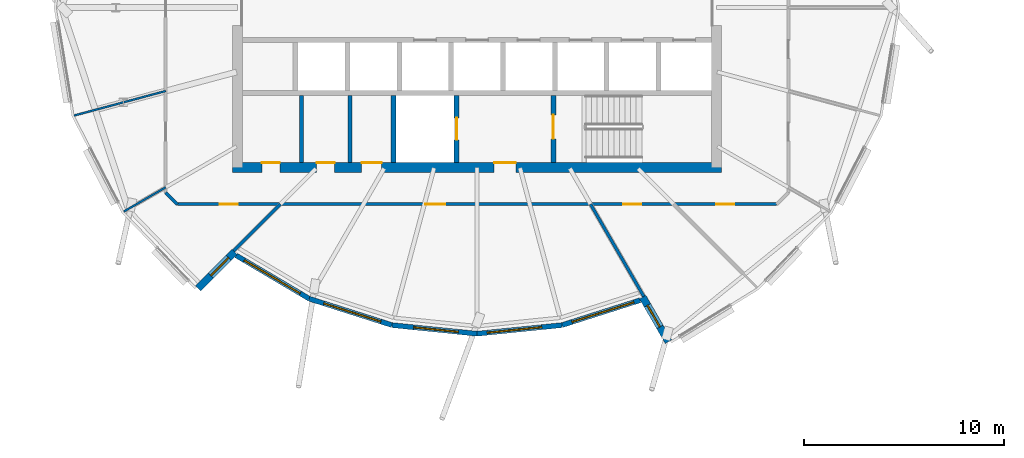
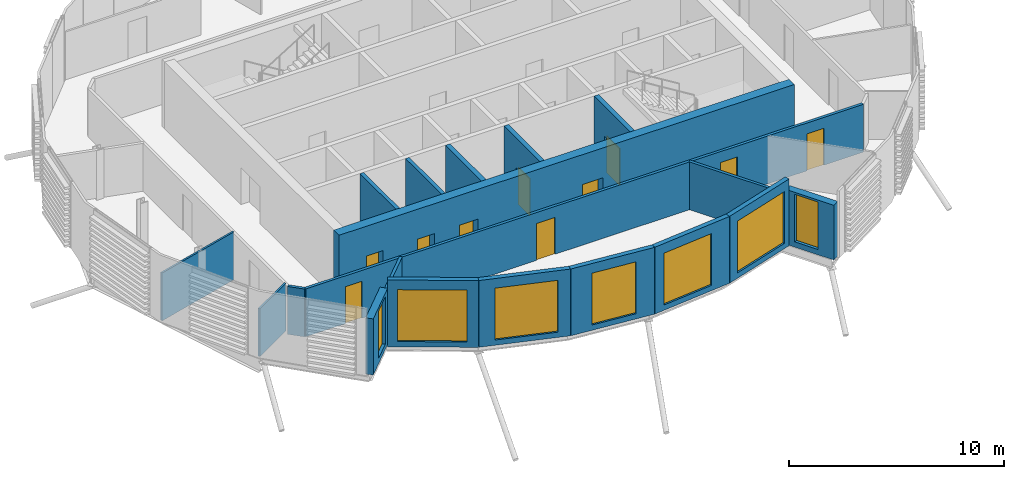
# One storey, part 20 of 41: 19 walls, 10 doors, 7 windows, 17 openings.
"""IFC4 building model written with IfcOpenShell, lengths in metres."""

from ifc_helpers import new_model, si_unit, direction, frame, frame_2d, origin, place, context, subcontext, project, spatial, rectangle, extrude, material, layer, layer_set, type_object, element, fill, save


model = new_model("IFC4")

# Units and contexts
model_context = context("Model", 3, precision=1e-05, world=origin(), true_north=direction((0.0, 1.0)))
body_context = subcontext(model_context, "Body", "Model", "MODEL_VIEW")
ifc_project = project(units=[si_unit("LENGTHUNIT", "METRE"), si_unit("AREAUNIT", "SQUARE_METRE"), si_unit("VOLUMEUNIT", "CUBIC_METRE"), si_unit("PLANEANGLEUNIT", "RADIAN"), si_unit("MASSUNIT", "GRAM", prefix="KILO")], contexts=[model_context])

# Site, building, storey
site_placement = place(None, origin())
site = spatial("IfcSite", under=ifc_project, at=site_placement, CompositionType="ELEMENT")
building_placement = place(site_placement, origin())
building = spatial("IfcBuilding", under=site, at=building_placement, Name="Rimbun Link Towers", CompositionType="ELEMENT")
storey_placement = place(building_placement, frame((0.0, 0.0, 214.300048828125)))
storey = spatial("IfcBuildingStorey", under=building, at=storey_placement, Name="L52", CompositionType="ELEMENT", Elevation=214.300048828125)

# Wall, opening, window
ifc_material_1 = material(Name="Dark enamelled glass spandrel on insulated aluminium backpan", Category="aluminium")
ifc_layer_1 = layer(ifc_material_1, 0.25)
ifc_layer_set_1 = layer_set([ifc_layer_1], Name="CS dark enamelled spandrel wall 250")
wall_type_1 = type_object("IfcWallType", Name="CS dark enamelled spandrel wall 250", PredefinedType="STANDARD", material=ifc_layer_set_1)
wall_1_placement = place(storey_placement, frame((-40.151123046875, -14.576904296875, 0.0), z_axis=(0.0, 0.0, 1.0), x_axis=(-0.860318595316, 0.509756720951, 0.0)))
wall_1 = element("IfcWall", 1, at=wall_1_placement, inside=storey, type_object=wall_type_1, Name="Crease spandrel wall", PredefinedType="STANDARD", context=body_context, shape_type="SweptSolid", body=[
    extrude(rectangle(XDim=4.24951171875, YDim=0.25, at=frame_2d((2.124755859375, 0.0))), origin(), (0.0, 0.0, 1.0), 3.800048828125),
])
opening_1_placement = place(wall_1_placement, frame((0.528564453125, 0.0, 0.300048828125)))
opening_1 = element("IfcOpeningElement", 2, at=opening_1_placement, cuts=wall_1, Name="Opening WR32H295", PredefinedType="OPENING", context=body_context, shape_type="SweptSolid", body=[
    extrude(rectangle(XDim=3.25, YDim=2.949951171875, at=frame_2d((1.625, 1.47509765625))), frame((0.0, 0.135009765625, 0.0), z_axis=(0.0, -1.0, 0.0), x_axis=(1.0, 0.0, 0.0)), (0.0, 0.0, 1.0), 0.27001953125),
])
ifc_material_2 = material(Name="Aluminium framed fixed window, dark tinted low-e glass", Category="aluminium")
window_type_1 = type_object("IfcWindowType", Name="WR ribbon window 3250X2950", PartitioningType="SINGLE_PANEL", PredefinedType="WINDOW", material=ifc_material_2)
window_1_placement = place(opening_1_placement, origin())
window_1 = element("IfcWindow", 3, at=window_1_placement, inside=storey, type_object=window_type_1, Name="Crease ribbon window", OverallHeight=2.949951171875, OverallWidth=3.25, PartitioningType="SINGLE_PANEL", PredefinedType="WINDOW", context=body_context, shape_type="SweptSolid", body=[
    extrude(rectangle(XDim=3.25, YDim=2.949951171875, at=frame_2d((1.625, 1.47509765625))), frame((0.0, 0.030029296875, 0.0), z_axis=(0.0, -1.0, 0.0), x_axis=(1.0, 0.0, 0.0)), (0.0, 0.0, 1.0), 0.06005859375),
])
fill(opening_1, window_1)

wall_2_placement = place(storey_placement, frame((-36.002685546875, -15.8994140625, 0.0), z_axis=(0.0, 0.0, 1.0), x_axis=(-0.952756261538, 0.303735915063, 0.0)))
wall_2 = element("IfcWall", 4, at=wall_2_placement, inside=storey, type_object=wall_type_1, Name="Crease spandrel wall", PredefinedType="STANDARD", context=body_context, shape_type="SweptSolid", body=[
    extrude(rectangle(XDim=4.354248046875, YDim=0.25, at=frame_2d((2.17724609375, 0.0))), origin(), (0.0, 0.0, 1.0), 3.800048828125),
])
opening_2_placement = place(wall_2_placement, frame((0.591064453125, 0.0, 0.300048828125)))
opening_2 = element("IfcOpeningElement", 5, at=opening_2_placement, cuts=wall_2, Name="Opening WR30H295", PredefinedType="OPENING", context=body_context, shape_type="SweptSolid", body=[
    extrude(rectangle(XDim=3.0, YDim=2.949951171875, at=frame_2d((1.5, 1.47509765625))), frame((0.0, 0.135009765625, 0.0), z_axis=(0.0, -1.0, 0.0), x_axis=(1.0, 0.0, 0.0)), (0.0, 0.0, 1.0), 0.27001953125),
])
ifc_material_3 = material(Name="Aluminium framed fixed window, dark tinted low-e glass", Category="aluminium")
window_type_2 = type_object("IfcWindowType", Name="WR ribbon window 3000X2950", PartitioningType="SINGLE_PANEL", PredefinedType="WINDOW", material=ifc_material_3)
window_2_placement = place(opening_2_placement, origin())
window_2 = element("IfcWindow", 6, at=window_2_placement, inside=storey, type_object=window_type_2, Name="Crease ribbon window", OverallHeight=2.949951171875, OverallWidth=3.0, PartitioningType="SINGLE_PANEL", PredefinedType="WINDOW", context=body_context, shape_type="SweptSolid", body=[
    extrude(rectangle(XDim=3.0, YDim=2.949951171875, at=frame_2d((1.5, 1.47509765625))), frame((0.0, 0.030029296875, 0.0), z_axis=(0.0, -1.0, 0.0), x_axis=(1.0, 0.0, 0.0)), (0.0, 0.0, 1.0), 0.06005859375),
])
fill(opening_2, window_2)

wall_3_placement = place(storey_placement, frame((-31.75, -16.329345703125, 0.0), z_axis=(0.0, 0.0, 1.0), x_axis=(-0.994928589789, 0.100583801976, 0.0)))
wall_3 = element("IfcWall", 7, at=wall_3_placement, inside=storey, type_object=wall_type_1, Name="Crease spandrel wall", PredefinedType="STANDARD", context=body_context, shape_type="SweptSolid", body=[
    extrude(rectangle(XDim=4.2744140625, YDim=0.25, at=frame_2d((2.13720703125, 0.0))), origin(), (0.0, 0.0, 1.0), 3.800048828125),
])
opening_3_placement = place(wall_3_placement, frame((0.939697265625, 0.0, 0.300048828125)))
opening_3 = element("IfcOpeningElement", 8, at=opening_3_placement, cuts=wall_3, Name="Opening WR22H295", PredefinedType="OPENING", context=body_context, shape_type="SweptSolid", body=[
    extrude(rectangle(XDim=2.25, YDim=2.949951171875, at=frame_2d((1.125, 1.47509765625))), frame((0.0, 0.135009765625, 0.0), z_axis=(0.0, -1.0, 0.0), x_axis=(1.0, 0.0, 0.0)), (0.0, 0.0, 1.0), 0.27001953125),
])
ifc_material_4 = material(Name="Aluminium framed fixed window, dark tinted low-e glass", Category="aluminium")
window_type_3 = type_object("IfcWindowType", Name="WR ribbon window 2250X2950", PartitioningType="SINGLE_PANEL", PredefinedType="WINDOW", material=ifc_material_4)
window_3_placement = place(opening_3_placement, origin())
window_3 = element("IfcWindow", 9, at=window_3_placement, inside=storey, type_object=window_type_3, Name="Crease ribbon window", OverallHeight=2.949951171875, OverallWidth=2.25, PartitioningType="SINGLE_PANEL", PredefinedType="WINDOW", context=body_context, shape_type="SweptSolid", body=[
    extrude(rectangle(XDim=2.25, YDim=2.949951171875, at=frame_2d((1.125, 1.47509765625))), frame((0.0, 0.030029296875, 0.0), z_axis=(0.0, -1.0, 0.0), x_axis=(1.0, 0.0, 0.0)), (0.0, 0.0, 1.0), 0.06005859375),
])
fill(opening_3, window_3)

wall_4_placement = place(storey_placement, frame((-27.497314453125, -15.8994140625, 0.0), z_axis=(0.0, 0.0, 1.0), x_axis=(-0.994928589789, -0.100583801976, 0.0)))
wall_4 = element("IfcWall", 10, at=wall_4_placement, inside=storey, type_object=wall_type_1, Name="Crease spandrel wall", PredefinedType="STANDARD", context=body_context, shape_type="SweptSolid", body=[
    extrude(rectangle(XDim=4.2744140625, YDim=0.25, at=frame_2d((2.13720703125, 0.0))), origin(), (0.0, 0.0, 1.0), 3.800048828125),
])
opening_4_placement = place(wall_4_placement, frame((1.013916015625, 0.0, 0.300048828125)))
opening_4 = element("IfcOpeningElement", 11, at=opening_4_placement, cuts=wall_4, Name="Opening WR28H295", PredefinedType="OPENING", context=body_context, shape_type="SweptSolid", body=[
    extrude(rectangle(XDim=2.75, YDim=2.949951171875, at=frame_2d((1.375, 1.47509765625))), frame((0.0, 0.135009765625, 0.0), z_axis=(0.0, -1.0, 0.0), x_axis=(1.0, 0.0, 0.0)), (0.0, 0.0, 1.0), 0.27001953125),
])
ifc_material_5 = material(Name="Aluminium framed fixed window, dark tinted low-e glass", Category="aluminium")
window_type_4 = type_object("IfcWindowType", Name="WR ribbon window 2750X2950", PartitioningType="SINGLE_PANEL", PredefinedType="WINDOW", material=ifc_material_5)
window_4_placement = place(opening_4_placement, origin())
window_4 = element("IfcWindow", 12, at=window_4_placement, inside=storey, type_object=window_type_4, Name="Crease ribbon window", OverallHeight=2.949951171875, OverallWidth=2.75, PartitioningType="SINGLE_PANEL", PredefinedType="WINDOW", context=body_context, shape_type="SweptSolid", body=[
    extrude(rectangle(XDim=2.75, YDim=2.949951171875, at=frame_2d((1.375, 1.47509765625))), frame((0.0, 0.030029296875, 0.0), z_axis=(0.0, -1.0, 0.0), x_axis=(1.0, 0.0, 0.0)), (0.0, 0.0, 1.0), 0.06005859375),
])
fill(opening_4, window_4)

wall_5_placement = place(storey_placement, frame((-23.580078125, -14.650634765625, 0.0), z_axis=(0.0, 0.0, 1.0), x_axis=(-0.95275796555, -0.303730569884, 0.0)))
wall_5 = element("IfcWall", 13, at=wall_5_placement, inside=storey, type_object=wall_type_1, Name="Crease spandrel wall", PredefinedType="STANDARD", context=body_context, shape_type="SweptSolid", body=[
    extrude(rectangle(XDim=4.111572265625, YDim=0.25, at=frame_2d((2.0556640625, 0.0))), origin(), (0.0, 0.0, 1.0), 3.800048828125),
])
opening_5_placement = place(wall_5_placement, frame((0.33154296875, 0.0, 0.300048828125)))
opening_5 = element("IfcOpeningElement", 14, at=opening_5_placement, cuts=wall_5, Name="Opening WR32H295", PredefinedType="OPENING", context=body_context, shape_type="SweptSolid", body=[
    extrude(rectangle(XDim=3.25, YDim=2.949951171875, at=frame_2d((1.625, 1.47509765625))), frame((0.0, 0.135009765625, 0.0), z_axis=(0.0, -1.0, 0.0), x_axis=(1.0, 0.0, 0.0)), (0.0, 0.0, 1.0), 0.27001953125),
])
window_5_placement = place(opening_5_placement, origin())
window_5 = element("IfcWindow", 15, at=window_5_placement, inside=storey, type_object=window_type_1, Name="Crease ribbon window", OverallHeight=2.949951171875, OverallWidth=3.25, PartitioningType="SINGLE_PANEL", PredefinedType="WINDOW", context=body_context, shape_type="SweptSolid", body=[
    extrude(rectangle(XDim=3.25, YDim=2.949951171875, at=frame_2d((1.625, 1.47509765625))), frame((0.0, 0.030029296875, 0.0), z_axis=(0.0, -1.0, 0.0), x_axis=(1.0, 0.0, 0.0)), (0.0, 0.0, 1.0), 0.06005859375),
])
fill(opening_5, window_5)

ifc_material_6 = material(Name="Dark enamelled glass spandrel on insulated aluminium backpan", Category="aluminium")
ifc_layer_2 = layer(ifc_material_6, 0.3701171875)
ifc_layer_set_2 = layer_set([ifc_layer_2], Name="CS dark enamelled spandrel wall 370")
wall_type_2 = type_object("IfcWallType", Name="CS dark enamelled spandrel wall 370", PredefinedType="STANDARD", material=ifc_layer_set_2)
wall_6_placement = place(storey_placement, frame((-43.891845703125, -12.23388671875, 0.0), z_axis=(0.0, 0.0, 1.0), x_axis=(-0.70715409354, -0.707059465667, 0.0)))
wall_6 = element("IfcWall", 16, at=wall_6_placement, inside=storey, type_object=wall_type_2, Name="Crease spandrel wall", PredefinedType="STANDARD", context=body_context, shape_type="SweptSolid", body=[
    extrude(rectangle(XDim=2.580078125, YDim=0.3701171875, at=frame_2d((1.2900390625, 0.0))), origin(), (0.0, 0.0, 1.0), 3.196533203125),
])
opening_6_placement = place(wall_6_placement, frame((0.422607421875, 0.0, 0.300048828125)))
opening_6 = element("IfcOpeningElement", 17, at=opening_6_placement, cuts=wall_6, Name="Opening WR12H270", PredefinedType="OPENING", context=body_context, shape_type="SweptSolid", body=[
    extrude(rectangle(XDim=1.25, YDim=2.699951171875, at=frame_2d((0.625, 1.35009765625))), frame((0.0, 0.195068359375, 0.0), z_axis=(0.0, -1.0, 0.0), x_axis=(1.0, 0.0, 0.0)), (0.0, 0.0, 1.0), 0.39013671875),
])
ifc_material_7 = material(Name="Aluminium framed fixed window, dark tinted low-e glass", Category="aluminium")
window_type_5 = type_object("IfcWindowType", Name="WR ribbon window 1250X2700", PartitioningType="SINGLE_PANEL", PredefinedType="WINDOW", material=ifc_material_7)
window_6_placement = place(opening_6_placement, origin())
window_6 = element("IfcWindow", 18, at=window_6_placement, inside=storey, type_object=window_type_5, Name="Crease ribbon window", OverallHeight=2.699951171875, OverallWidth=1.25, PartitioningType="SINGLE_PANEL", PredefinedType="WINDOW", context=body_context, shape_type="SweptSolid", body=[
    extrude(rectangle(XDim=1.25, YDim=2.699951171875, at=frame_2d((0.625, 1.35009765625))), frame((0.0, 0.030029296875, 0.0), z_axis=(0.0, -1.0, 0.0), x_axis=(1.0, 0.0, 0.0)), (0.0, 0.0, 1.0), 0.06005859375),
])
fill(opening_6, window_6)

wall_7_placement = place(storey_placement, frame((-22.16650390625, -16.728759765625, 0.0), z_axis=(0.0, 0.0, 1.0), x_axis=(-0.500047388771, 0.865998042136, 0.0)))
wall_7 = element("IfcWall", 19, at=wall_7_placement, inside=storey, type_object=wall_type_2, Name="Crease spandrel wall", PredefinedType="STANDARD", context=body_context, shape_type="SweptSolid", body=[
    extrude(rectangle(XDim=2.579833984375, YDim=0.3701171875, at=frame_2d((1.2900390625, 0.0))), origin(), (0.0, 0.0, 1.0), 3.116943359375),
])
opening_7_placement = place(wall_7_placement, frame((0.853271484375, 0.0, 0.300048828125)))
opening_7 = element("IfcOpeningElement", 20, at=opening_7_placement, cuts=wall_7, Name="Opening WR12H270", PredefinedType="OPENING", context=body_context, shape_type="SweptSolid", body=[
    extrude(rectangle(XDim=1.25, YDim=2.699951171875, at=frame_2d((0.625, 1.35009765625))), frame((0.0, 0.195068359375, 0.0), z_axis=(0.0, -1.0, 0.0), x_axis=(1.0, 0.0, 0.0)), (0.0, 0.0, 1.0), 0.39013671875),
])
window_7_placement = place(opening_7_placement, origin())
window_7 = element("IfcWindow", 21, at=window_7_placement, inside=storey, type_object=window_type_5, Name="Crease ribbon window", OverallHeight=2.699951171875, OverallWidth=1.25, PartitioningType="SINGLE_PANEL", PredefinedType="WINDOW", context=body_context, shape_type="SweptSolid", body=[
    extrude(rectangle(XDim=1.25, YDim=2.699951171875, at=frame_2d((0.625, 1.35009765625))), frame((0.0, 0.030029296875, 0.0), z_axis=(0.0, -1.0, 0.0), x_axis=(1.0, 0.0, 0.0)), (0.0, 0.0, 1.0), 0.06005859375),
])
fill(opening_7, window_7)

# Walls
ifc_material_8 = material(Name="Masonry blockwork", Category="masonry")
ifc_layer_3 = layer(ifc_material_8, 0.199951171875)
ifc_layer_set_3 = layer_set([ifc_layer_3], Name="Core partition 200")
wall_type_3 = type_object("IfcWallType", Name="Core partition 200", PredefinedType="PARTITIONING", material=ifc_layer_set_3)
for number, where, z_axis, x_axis, name in (
    (22, (-40.550048828125, -4.39990234375, 0.0), (0.0, 0.0, 1.0), (0.0, -1.0, 0.0), "L52 T1 core wall C1"),
    (23, (-38.10009765625, -4.39990234375, 0.0), (0.0, 0.0, 1.0), (0.0, -1.0, 0.0), "L52 T1 core wall C2"),
):
    element("IfcWall", number, at=place(storey_placement, frame(where, z_axis=z_axis, x_axis=x_axis)), inside=storey, type_object=wall_type_3, Name=name, PredefinedType="PARTITIONING", context=body_context, shape_type="SweptSolid", body=[
        extrude(rectangle(XDim=3.35009765625, YDim=0.199951171875, at=frame_2d((1.675048828125, 0.0))), origin(), (0.0, 0.0, 1.0), 3.800048828125),
    ])

# Wall, openings, doors
ifc_material_9 = material(Name="Concrete C60/75", Category="concrete")
ifc_layer_4 = layer(ifc_material_9, 0.5)
ifc_layer_set_4 = layer_set([ifc_layer_4], Name="Core shear wall 500")
wall_type_4 = type_object("IfcWallType", Name="Core shear wall 500", PredefinedType="SHEAR", material=ifc_layer_set_4)
wall_8_placement = place(storey_placement, frame((-44.0, -8.0, 0.0), z_axis=(0.0, 0.0, 1.0), x_axis=(1.0, 0.0, 0.0)))
wall_8 = element("IfcWall", 24, at=wall_8_placement, inside=storey, type_object=wall_type_4, Name="L52 T1 core wall S", PredefinedType="SHEAR", context=body_context, shape_type="SweptSolid", body=[
    extrude(rectangle(XDim=24.5, YDim=0.5, at=frame_2d((12.25, 0.0))), origin(), (0.0, 0.0, 1.0), 3.800048828125),
])
opening_8_placement = place(wall_8_placement, frame((13.10009765625, 0.0, 0.0)))
opening_8 = element("IfcOpeningElement", 25, at=opening_8_placement, cuts=wall_8, Name="Opening C1DCF01S", PredefinedType="OPENING", context=body_context, shape_type="SweptSolid", body=[
    extrude(rectangle(XDim=1.10009765625, YDim=2.10009765625, at=frame_2d((0.550048828125, 1.050048828125))), frame((0.0, 0.260009765625, 0.0), z_axis=(0.0, -1.0, 0.0), x_axis=(1.0, 0.0, 0.0)), (0.0, 0.0, 1.0), 0.52001953125),
])
opening_9_placement = place(wall_8_placement, frame((1.47509765625, 0.0, 0.0)))
opening_9 = element("IfcOpeningElement", 26, at=opening_9_placement, cuts=wall_8, Name="Opening C1DWC02S", PredefinedType="OPENING", context=body_context, shape_type="SweptSolid", body=[
    extrude(rectangle(XDim=0.89990234375, YDim=2.10009765625, at=frame_2d((0.449951171875, 1.050048828125))), frame((0.0, 0.260009765625, 0.0), z_axis=(0.0, -1.0, 0.0), x_axis=(1.0, 0.0, 0.0)), (0.0, 0.0, 1.0), 0.52001953125),
])
opening_10_placement = place(wall_8_placement, frame((4.22509765625, 0.0, 0.0)))
opening_10 = element("IfcOpeningElement", 27, at=opening_10_placement, cuts=wall_8, Name="Opening C1DWC03S", PredefinedType="OPENING", context=body_context, shape_type="SweptSolid", body=[
    extrude(rectangle(XDim=0.89990234375, YDim=2.10009765625, at=frame_2d((0.449951171875, 1.050048828125))), frame((0.0, 0.260009765625, 0.0), z_axis=(0.0, -1.0, 0.0), x_axis=(1.0, 0.0, 0.0)), (0.0, 0.0, 1.0), 0.52001953125),
])
opening_11_placement = place(wall_8_placement, frame((6.47509765625, 0.0, 0.0)))
opening_11 = element("IfcOpeningElement", 28, at=opening_11_placement, cuts=wall_8, Name="Opening C1DAW04S", PredefinedType="OPENING", context=body_context, shape_type="SweptSolid", body=[
    extrude(rectangle(XDim=1.0, YDim=2.10009765625, at=frame_2d((0.5, 1.050048828125))), frame((0.0, 0.260009765625, 0.0), z_axis=(0.0, -1.0, 0.0), x_axis=(1.0, 0.0, 0.0)), (0.0, 0.0, 1.0), 0.52001953125),
])
ifc_material_10 = material(Name="Timber", Category="wood")
door_type_1 = type_object("IfcDoorType", Name="Accessible WC door", OperationType="SINGLE_SWING_LEFT", PredefinedType="DOOR", material=ifc_material_10)
door_1_placement = place(opening_11_placement, origin())
door_1 = element("IfcDoor", 29, at=door_1_placement, inside=storey, type_object=door_type_1, Name="L52 T1 accessible wc door", OperationType="SINGLE_SWING_RIGHT", OverallHeight=2.10009765625, OverallWidth=1.0, PredefinedType="DOOR", context=body_context, shape_type="SweptSolid", body=[
    extrude(rectangle(XDim=1.0, YDim=2.10009765625, at=frame_2d((0.5, 1.050048828125))), frame((0.0, 0.25, 0.0), z_axis=(0.0, -1.0, 0.0), x_axis=(1.0, 0.0, 0.0)), (0.0, 0.0, 1.0), 0.050048828125),
])
fill(opening_11, door_1)
ifc_material_11 = material(Name="Steel fire door set", Category="steel")
door_type_2 = type_object("IfcDoorType", Name="Core fire door single", OperationType="SINGLE_SWING_LEFT", PredefinedType="DOOR", material=ifc_material_11)
door_2_placement = place(opening_8_placement, origin())
door_2 = element("IfcDoor", 30, at=door_2_placement, inside=storey, type_object=door_type_2, Name="L52 T1 firefighting lobby s door", OperationType="SINGLE_SWING_LEFT", OverallHeight=2.10009765625, OverallWidth=1.10009765625, PredefinedType="DOOR", context=body_context, shape_type="SweptSolid", body=[
    extrude(rectangle(XDim=1.10009765625, YDim=2.10009765625, at=frame_2d((0.550048828125, 1.050048828125))), frame((0.0, 0.25, 0.0), z_axis=(0.0, -1.0, 0.0), x_axis=(1.0, 0.0, 0.0)), (0.0, 0.0, 1.0), 0.050048828125),
])
fill(opening_8, door_2)
ifc_material_12 = material(Name="Timber", Category="wood")
door_type_3 = type_object("IfcDoorType", Name="WC door", OperationType="SINGLE_SWING_LEFT", PredefinedType="DOOR", material=ifc_material_12)
door_3_placement = place(opening_9_placement, origin())
door_3 = element("IfcDoor", 31, at=door_3_placement, inside=storey, type_object=door_type_3, Name="L52 T1 male wc door", OperationType="SINGLE_SWING_RIGHT", OverallHeight=2.10009765625, OverallWidth=0.89990234375, PredefinedType="DOOR", context=body_context, shape_type="SweptSolid", body=[
    extrude(rectangle(XDim=0.89990234375, YDim=2.10009765625, at=frame_2d((0.449951171875, 1.050048828125))), frame((0.0, 0.25, 0.0), z_axis=(0.0, -1.0, 0.0), x_axis=(1.0, 0.0, 0.0)), (0.0, 0.0, 1.0), 0.050048828125),
])
fill(opening_9, door_3)
door_4_placement = place(opening_10_placement, origin())
door_4 = element("IfcDoor", 32, at=door_4_placement, inside=storey, type_object=door_type_3, Name="L52 T1 female wc door", OperationType="SINGLE_SWING_RIGHT", OverallHeight=2.10009765625, OverallWidth=0.89990234375, PredefinedType="DOOR", context=body_context, shape_type="SweptSolid", body=[
    extrude(rectangle(XDim=0.89990234375, YDim=2.10009765625, at=frame_2d((0.449951171875, 1.050048828125))), frame((0.0, 0.25, 0.0), z_axis=(0.0, -1.0, 0.0), x_axis=(1.0, 0.0, 0.0)), (0.0, 0.0, 1.0), 0.050048828125),
])
fill(opening_10, door_4)

ifc_material_13 = material(Name="Plasterboard on steel stud, mineral wool", Category="steel")
ifc_layer_5 = layer(ifc_material_13, 0.14990234375)
ifc_layer_set_5 = layer_set([ifc_layer_5], Name="Corridor wall EI 30 150 mm")
wall_type_5 = type_object("IfcWallType", Name="Corridor wall EI 30 150 mm", PredefinedType="PARTITIONING", material=ifc_layer_set_5)
wall_9_placement = place(storey_placement, frame((-16.746337890625, -9.844970703125, 0.0), z_axis=(0.0, 0.0, 1.0), x_axis=(-1.0, 0.0, 0.0)))
wall_9 = element("IfcWall", 33, at=wall_9_placement, inside=storey, type_object=wall_type_5, Name="Corridor wall EI 30 150 mm", PredefinedType="PARTITIONING", context=body_context, shape_type="SweptSolid", body=[
    extrude(rectangle(XDim=30.00732421875, YDim=0.14990234375, at=frame_2d((15.003662109375, 0.0))), origin(), (0.0, 0.0, 1.0), 2.721923828125),
])
opening_12_placement = place(wall_9_placement, frame((6.789306640625, 0.0, 0.0)))
opening_12 = element("IfcOpeningElement", 34, at=opening_12_placement, cuts=wall_9, Name="Opening D02", PredefinedType="OPENING", context=body_context, shape_type="SweptSolid", body=[
    extrude(rectangle(XDim=0.89990234375, YDim=2.10009765625, at=frame_2d((0.449951171875, 1.050048828125))), frame((0.0, 0.0849609375, 0.0), z_axis=(0.0, -1.0, 0.0), x_axis=(1.0, 0.0, 0.0)), (0.0, 0.0, 1.0), 0.169921875),
])
opening_13_placement = place(wall_9_placement, frame((2.12939453125, 0.0, 0.0)))
opening_13 = element("IfcOpeningElement", 35, at=opening_13_placement, cuts=wall_9, Name="Opening D02", PredefinedType="OPENING", context=body_context, shape_type="SweptSolid", body=[
    extrude(rectangle(XDim=0.89990234375, YDim=2.10009765625, at=frame_2d((0.449951171875, 1.050048828125))), frame((0.0, 0.0849609375, 0.0), z_axis=(0.0, -1.0, 0.0), x_axis=(1.0, 0.0, 0.0)), (0.0, 0.0, 1.0), 0.169921875),
])
opening_14_placement = place(wall_9_placement, frame((26.97802734375, 0.0, 0.0)))
opening_14 = element("IfcOpeningElement", 36, at=opening_14_placement, cuts=wall_9, Name="Opening D02", PredefinedType="OPENING", context=body_context, shape_type="SweptSolid", body=[
    extrude(rectangle(XDim=0.89990234375, YDim=2.10009765625, at=frame_2d((0.449951171875, 1.050048828125))), frame((0.0, 0.0849609375, 0.0), z_axis=(0.0, -1.0, 0.0), x_axis=(1.0, 0.0, 0.0)), (0.0, 0.0, 1.0), 0.169921875),
])
opening_15_placement = place(wall_9_placement, frame((16.584228515625, 0.0, 0.0)))
opening_15 = element("IfcOpeningElement", 37, at=opening_15_placement, cuts=wall_9, Name="Opening D01", PredefinedType="OPENING", context=body_context, shape_type="SweptSolid", body=[
    extrude(rectangle(XDim=1.0, YDim=2.10009765625, at=frame_2d((0.5, 1.050048828125))), frame((0.0, 0.0849609375, 0.0), z_axis=(0.0, -1.0, 0.0), x_axis=(1.0, 0.0, 0.0)), (0.0, 0.0, 1.0), 0.169921875),
])
ifc_material_14 = material(Name="Fire-resisting timber door leaf", Category="wood")
door_type_4 = type_object("IfcDoorType", Name="Fire door FD30S 1000", OperationType="NOTDEFINED", PredefinedType="DOOR", material=ifc_material_14)
door_5_placement = place(opening_15_placement, origin())
door_5 = element("IfcDoor", 38, at=door_5_placement, inside=storey, type_object=door_type_4, Name="Fire door FD30S 1000 to Terrace office", OperationType="SINGLE_SWING_RIGHT", OverallHeight=2.10009765625, OverallWidth=1.0, PredefinedType="DOOR", context=body_context, shape_type="SweptSolid", body=[
    extrude(rectangle(XDim=1.0, YDim=2.10009765625, at=frame_2d((0.5, 1.050048828125))), frame((0.0, 0.02490234375, 0.0), z_axis=(0.0, -1.0, 0.0), x_axis=(1.0, 0.0, 0.0)), (0.0, 0.0, 1.0), 0.050048828125),
])
fill(opening_15, door_5)
ifc_material_15 = material(Name="Fire-resisting timber door leaf", Category="wood")
door_type_5 = type_object("IfcDoorType", Name="Fire door FD30S 900", OperationType="NOTDEFINED", PredefinedType="DOOR", material=ifc_material_15)
door_6_placement = place(opening_12_placement, origin())
door_6 = element("IfcDoor", 39, at=door_6_placement, inside=storey, type_object=door_type_5, Name="Fire door FD30S 900 to Meeting room", OperationType="SINGLE_SWING_LEFT", OverallHeight=2.10009765625, OverallWidth=0.89990234375, PredefinedType="DOOR", context=body_context, shape_type="SweptSolid", body=[
    extrude(rectangle(XDim=0.89990234375, YDim=2.10009765625, at=frame_2d((0.449951171875, 1.050048828125))), frame((0.0, 0.02490234375, 0.0), z_axis=(0.0, -1.0, 0.0), x_axis=(1.0, 0.0, 0.0)), (0.0, 0.0, 1.0), 0.050048828125),
])
fill(opening_12, door_6)
door_7_placement = place(opening_13_placement, origin())
door_7 = element("IfcDoor", 40, at=door_7_placement, inside=storey, type_object=door_type_5, Name="Fire door FD30S 900 to Executive office", OperationType="SINGLE_SWING_RIGHT", OverallHeight=2.10009765625, OverallWidth=0.89990234375, PredefinedType="DOOR", context=body_context, shape_type="SweptSolid", body=[
    extrude(rectangle(XDim=0.89990234375, YDim=2.10009765625, at=frame_2d((0.449951171875, 1.050048828125))), frame((0.0, 0.02490234375, 0.0), z_axis=(0.0, -1.0, 0.0), x_axis=(1.0, 0.0, 0.0)), (0.0, 0.0, 1.0), 0.050048828125),
])
fill(opening_13, door_7)
door_8_placement = place(opening_14_placement, origin())
door_8 = element("IfcDoor", 41, at=door_8_placement, inside=storey, type_object=door_type_5, Name="Fire door FD30S 900 to Meeting room", OperationType="SINGLE_SWING_LEFT", OverallHeight=2.10009765625, OverallWidth=0.89990234375, PredefinedType="DOOR", context=body_context, shape_type="SweptSolid", body=[
    extrude(rectangle(XDim=0.89990234375, YDim=2.10009765625, at=frame_2d((0.449951171875, 1.050048828125))), frame((0.0, 0.02490234375, 0.0), z_axis=(0.0, -1.0, 0.0), x_axis=(1.0, 0.0, 0.0)), (0.0, 0.0, 1.0), 0.050048828125),
])
fill(opening_14, door_8)

# Walls
wall_10_placement = place(storey_placement, frame((-47.3349609375, -9.263671875, 0.0), z_axis=(0.0, 0.0, 1.0), x_axis=(0.707106781187, -0.707106781187, 0.0)))
element("IfcWall", 42, at=wall_10_placement, inside=storey, type_object=wall_type_5, Name="Corridor wall EI 30 150 mm", PredefinedType="PARTITIONING", context=body_context, shape_type="SweptSolid", body=[
    extrude(rectangle(XDim=0.822021484375, YDim=0.14990234375, at=frame_2d((0.4111328125, 0.0))), origin(), (0.0, 0.0, 1.0), 2.721923828125),
])
ifc_material_16 = material(Name="Plasterboard on steel stud", Category="steel")
ifc_layer_6 = layer(ifc_material_16, 0.10009765625)
ifc_layer_set_6 = layer_set([ifc_layer_6], Name="Plasterboard partition 100 mm")
wall_type_6 = type_object("IfcWallType", Name="Plasterboard partition 100 mm", PredefinedType="PARTITIONING", material=ifc_layer_set_6)
wall_11_placement = place(storey_placement, frame((-51.92138671875, -5.40478515625, 0.0), z_axis=(0.0, 0.0, 1.0), x_axis=(0.96593474065, 0.258785773964, 0.0)))
element("IfcWall", 43, at=wall_11_placement, inside=storey, type_object=wall_type_6, Name="Plasterboard partition 100 mm", PredefinedType="PARTITIONING", context=body_context, shape_type="SweptSolid", body=[
    extrude(rectangle(XDim=4.748291015625, YDim=0.10009765625, at=frame_2d((2.3740234375, 0.0))), origin(), (0.0, 0.0, 1.0), 2.721923828125),
])
wall_12_placement = place(storey_placement, frame((-49.434814453125, -10.21044921875, 0.0), z_axis=(0.0, 0.0, 1.0), x_axis=(0.866016233231, 0.500015883528, 0.0)))
element("IfcWall", 44, at=wall_12_placement, inside=storey, type_object=wall_type_6, Name="Plasterboard partition 100 mm", PredefinedType="PARTITIONING", context=body_context, shape_type="SweptSolid", body=[
    extrude(rectangle(XDim=2.4248046875, YDim=0.10009765625, at=frame_2d((1.21240234375, 0.0))), origin(), (0.0, 0.0, 1.0), 2.721923828125),
])

# Wall, opening, door
ifc_material_17 = material(Name="Concrete C60/75", Category="concrete")
ifc_layer_7 = layer(ifc_material_17, 0.25)
ifc_layer_set_7 = layer_set([ifc_layer_7], Name="Shaft wall 250")
wall_type_7 = type_object("IfcWallType", Name="Shaft wall 250", PredefinedType="SHEAR", material=ifc_layer_set_7)
wall_13_placement = place(storey_placement, frame((-27.925048828125, -4.39990234375, 0.0), z_axis=(0.0, 0.0, 1.0), x_axis=(0.0, -1.0, 0.0)))
wall_13 = element("IfcWall", 45, at=wall_13_placement, inside=storey, type_object=wall_type_7, Name="L52 T1 core wall B1", PredefinedType="SHEAR", context=body_context, shape_type="SweptSolid", body=[
    extrude(rectangle(XDim=3.35009765625, YDim=0.25, at=frame_2d((1.675048828125, 0.0))), origin(), (0.0, 0.0, 1.0), 3.800048828125),
])
opening_16_placement = place(wall_13_placement, frame((0.97509765625, 0.0, 0.0)))
opening_16 = element("IfcOpeningElement", 46, at=opening_16_placement, cuts=wall_13, Name="Opening C1DST01B1", PredefinedType="OPENING", context=body_context, shape_type="SweptSolid", body=[
    extrude(rectangle(XDim=1.199951171875, YDim=2.10009765625, at=frame_2d((0.60009765625, 1.050048828125))), frame((0.0, 0.135009765625, 0.0), z_axis=(0.0, -1.0, 0.0), x_axis=(1.0, 0.0, 0.0)), (0.0, 0.0, 1.0), 0.27001953125),
])
ifc_material_18 = material(Name="Steel fire door set", Category="steel")
door_type_6 = type_object("IfcDoorType", Name="Stair door", OperationType="SINGLE_SWING_LEFT", PredefinedType="DOOR", material=ifc_material_18)
door_9_placement = place(opening_16_placement, origin())
door_9 = element("IfcDoor", 47, at=door_9_placement, inside=storey, type_object=door_type_6, Name="L52 T1 stair b door", OperationType="SINGLE_SWING_RIGHT", OverallHeight=2.10009765625, OverallWidth=1.199951171875, PredefinedType="DOOR", context=body_context, shape_type="SweptSolid", body=[
    extrude(rectangle(XDim=1.199951171875, YDim=2.10009765625, at=frame_2d((0.60009765625, 1.050048828125))), frame((0.0, 0.02490234375, 0.0), z_axis=(0.0, -1.0, 0.0), x_axis=(1.0, 0.0, 0.0)), (0.0, 0.0, 1.0), 0.050048828125),
])
fill(opening_16, door_9)

wall_14_placement = place(storey_placement, frame((-32.77490234375, -4.39990234375, 0.0), z_axis=(0.0, 0.0, 1.0), x_axis=(0.0, -1.0, 0.0)))
wall_14 = element("IfcWall", 48, at=wall_14_placement, inside=storey, type_object=wall_type_7, Name="L52 T1 core wall B2", PredefinedType="SHEAR", context=body_context, shape_type="SweptSolid", body=[
    extrude(rectangle(XDim=3.35009765625, YDim=0.25, at=frame_2d((1.675048828125, 0.0))), origin(), (0.0, 0.0, 1.0), 3.800048828125),
])
opening_17_placement = place(wall_14_placement, frame((1.125, 0.0, 0.0)))
opening_17 = element("IfcOpeningElement", 49, at=opening_17_placement, cuts=wall_14, Name="Opening LD-T1-FF2", PredefinedType="OPENING", context=body_context, shape_type="SweptSolid", body=[
    extrude(rectangle(XDim=1.10009765625, YDim=2.10009765625, at=frame_2d((0.550048828125, 1.050048828125))), frame((0.0, 0.135009765625, 0.0), z_axis=(0.0, -1.0, 0.0), x_axis=(1.0, 0.0, 0.0)), (0.0, 0.0, 1.0), 0.27001953125),
])
ifc_material_19 = material(Name="Stainless steel grade 316", Category="steel")
door_type_7 = type_object("IfcDoorType", Name="Lift landing door", OperationType="DOUBLE_DOOR_SLIDING", PredefinedType="DOOR", material=ifc_material_19)
door_10_placement = place(opening_17_placement, origin())
door_10 = element("IfcDoor", 50, at=door_10_placement, inside=storey, type_object=door_type_7, Name="L52 T1 lift FF2 landing door", OperationType="DOUBLE_DOOR_SLIDING", OverallHeight=2.10009765625, OverallWidth=1.10009765625, PredefinedType="DOOR", context=body_context, shape_type="SweptSolid", body=[
    extrude(rectangle(XDim=1.10009765625, YDim=2.10009765625, at=frame_2d((0.550048828125, 1.050048828125))), frame((0.0, 0.02490234375, 0.0), z_axis=(0.0, -1.0, 0.0), x_axis=(1.0, 0.0, 0.0)), (0.0, 0.0, 1.0), 0.050048828125),
])
fill(opening_17, door_10)

# Walls
wall_15_placement = place(storey_placement, frame((-35.925048828125, -4.39990234375, 0.0), z_axis=(0.0, 0.0, 1.0), x_axis=(0.0, -1.0, 0.0)))
element("IfcWall", 51, at=wall_15_placement, inside=storey, type_object=wall_type_7, Name="L52 T1 core wall B3", PredefinedType="SHEAR", context=body_context, shape_type="SweptSolid", body=[
    extrude(rectangle(XDim=3.35009765625, YDim=0.25, at=frame_2d((1.675048828125, 0.0))), origin(), (0.0, 0.0, 1.0), 3.800048828125),
])
ifc_material_20 = material(Name="Plasterboard on steel stud, mineral wool", Category="steel")
ifc_layer_8 = layer(ifc_material_20, 0.14990234375)
ifc_layer_set_8 = layer_set([ifc_layer_8], Name="Tenancy separation wall EI 60 150 mm")
wall_type_8 = type_object("IfcWallType", Name="Tenancy separation wall EI 60 150 mm", PredefinedType="PARTITIONING", material=ifc_layer_set_8)
wall_16_placement = place(storey_placement, frame((-41.594970703125, -9.844970703125, 0.0), z_axis=(0.0, 0.0, 1.0), x_axis=(-0.707106781187, -0.707106781187, 0.0)))
element("IfcWall", 52, at=wall_16_placement, inside=storey, type_object=wall_type_8, Name="Tenancy separation wall EI 60 150 mm", PredefinedType="PARTITIONING", context=body_context, shape_type="SweptSolid", body=[
    extrude(rectangle(XDim=3.3134765625, YDim=0.14990234375, at=frame_2d((1.65673828125, 0.0))), origin(), (0.0, 0.0, 1.0), 2.721923828125),
])
wall_17_placement = place(storey_placement, frame((-26.06591796875, -9.844970703125, 0.0), z_axis=(0.0, 0.0, 1.0), x_axis=(0.499970865209, -0.86604222411, 0.0)))
element("IfcWall", 53, at=wall_17_placement, inside=storey, type_object=wall_type_8, Name="Tenancy separation wall EI 60 150 mm", PredefinedType="PARTITIONING", context=body_context, shape_type="SweptSolid", body=[
    extrude(rectangle(XDim=5.331298828125, YDim=0.14990234375, at=frame_2d((2.66552734375, 0.0))), origin(), (0.0, 0.0, 1.0), 2.721923828125),
])

save(model, "model.ifc")
